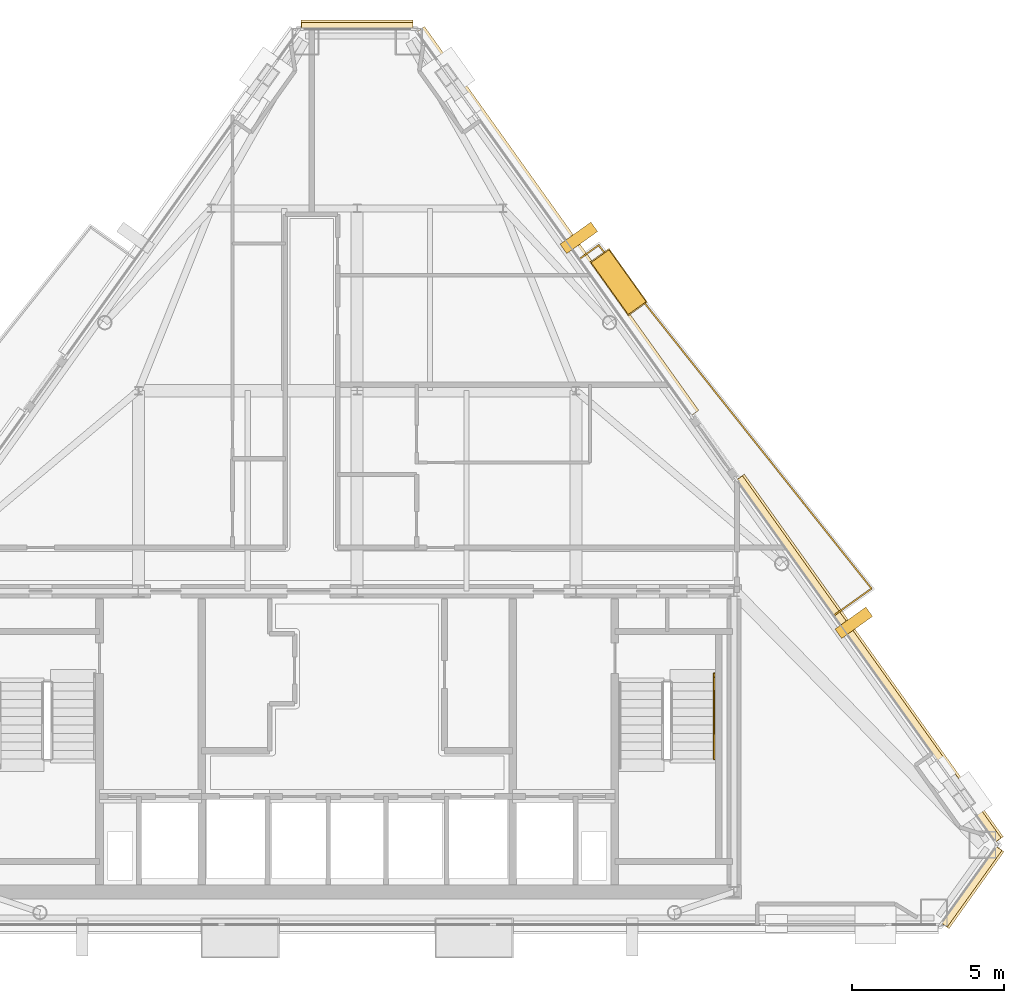
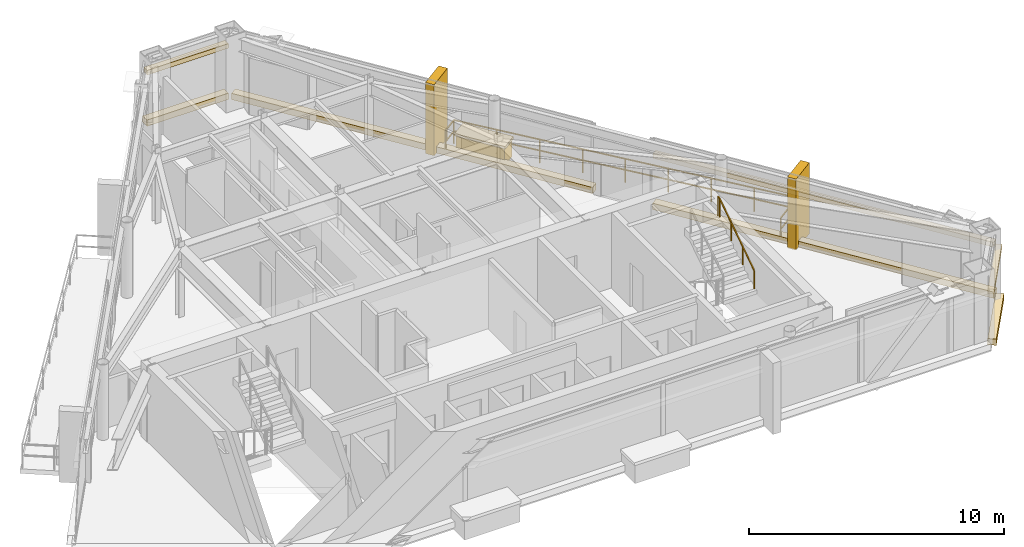
# One storey, part 12 of 12: 11 coverings, 2 railings.
"""IFC4 building model written with IfcOpenShell, lengths in metres."""

from ifc_helpers import new_model, si_unit, direction, frame, origin, origin_2d, place, context, subcontext, project, spatial, rectangle, extrude, material, layer, layer_set, type_object, element, save


model = new_model("IFC4")

# Units and contexts
model_context = context("Model", 3, precision=1e-05, world=origin(), true_north=direction((0.0, 1.0)))
body_context = subcontext(model_context, "Body", "Model", "MODEL_VIEW")
ifc_project = project(units=[si_unit("LENGTHUNIT", "METRE"), si_unit("AREAUNIT", "SQUARE_METRE"), si_unit("VOLUMEUNIT", "CUBIC_METRE"), si_unit("PLANEANGLEUNIT", "RADIAN"), si_unit("MASSUNIT", "GRAM", prefix="KILO")], contexts=[model_context])

# Site, building, storey
site_placement = place(None, origin())
site = spatial("IfcSite", under=ifc_project, at=site_placement, CompositionType="ELEMENT")
building_placement = place(site_placement, origin())
building = spatial("IfcBuilding", under=site, at=building_placement, Name="Talgorran Terracotta Tower", CompositionType="ELEMENT")
storey_placement = place(building_placement, frame((0.0, 0.0, 277.800048828125)))
storey = spatial("IfcBuildingStorey", under=building, at=storey_placement, Name="L73", CompositionType="ELEMENT", Elevation=277.800048828125)

# Coverings
ifc_material_1 = material(Name="Kiln-Fired Terracotta Ochre Ceramic", Category="masonry")
ifc_layer_1 = layer(ifc_material_1, 0.179931640625, Name="COV_BAGUETTE_TERRACOTTA_SCREEN")
ifc_layer_set_1 = layer_set([ifc_layer_1], Name="Kiln-Fired Terracotta Ochre Ceramic")
covering_type_1 = type_object("IfcCoveringType", Name="COV_BAGUETTE_TERRACOTTA_SCREEN", PredefinedType="CLADDING", material=ifc_layer_set_1)
covering_1_placement = place(storey_placement, frame((20.2119140625, -13.916748046875, 2.41015625), z_axis=(0.0, 0.0, 1.0), x_axis=(0.581256971997, 0.813720057824, 0.0)))
element("IfcCovering", 1, at=covering_1_placement, inside=storey, type_object=covering_type_1, Name="L73 Terracotta Baguette Solar Screen Assembly F2", PredefinedType="CLADDING", context=body_context, shape_type="SweptSolid", body=[
    extrude(rectangle(XDim=3.093994140625, YDim=0.260009765625, at=origin_2d()), origin(), (0.0, 0.0, 1.0), 0.219970703125),
])
covering_2_placement = place(storey_placement, frame((16.831298828125, -6.4365234375, 2.41015625), z_axis=(0.0, 0.0, 1.0), x_axis=(-0.581242769814, 0.813730202548, 0.0)))
element("IfcCovering", 2, at=covering_2_placement, inside=storey, type_object=covering_type_1, Name="L73 Terracotta Baguette Solar Screen Assembly F40", PredefinedType="CLADDING", context=body_context, shape_type="SweptSolid", body=[
    extrude(rectangle(XDim=14.6455078125, YDim=0.260009765625, at=origin_2d()), origin(), (0.0, 0.0, 1.0), 0.219970703125),
])
covering_3_placement = place(storey_placement, frame((0.0, 14.389404296875, 2.41015625), z_axis=(0.0, 0.0, 1.0), x_axis=(-1.0, 0.0, 0.0)))
element("IfcCovering", 3, at=covering_3_placement, inside=storey, type_object=covering_type_1, Name="L73 Terracotta Baguette Solar Screen Assembly F4", PredefinedType="CLADDING", context=body_context, shape_type="SweptSolid", body=[
    extrude(rectangle(XDim=3.66748046875, YDim=0.260009765625, at=origin_2d()), origin(), (0.0, 0.0, 1.0), 0.219970703125),
])
ifc_material_2 = material(Name="Honed Limestone and Terracotta Planter", Category="masonry")
ifc_layer_2 = layer(ifc_material_2, 0.1201171875, Name="COV_PLANTER_BOX")
ifc_layer_set_2 = layer_set([ifc_layer_2], Name="Honed Limestone and Terracotta Planter")
covering_type_2 = type_object("IfcCoveringType", Name="COV_PLANTER_BOX", PredefinedType="CLADDING", material=ifc_layer_set_2)
covering_4_placement = place(storey_placement, frame((8.60498046875, 5.972900390625, -0.02001953125), z_axis=(0.0, 0.0, 1.0), x_axis=(-0.581256971997, 0.813720057824, 0.0)))
element("IfcCovering", 4, at=covering_4_placement, inside=storey, type_object=covering_type_2, Name="L73 Staggered Balcony Planter Box BAL-NE", PredefinedType="CLADDING", context=body_context, shape_type="SweptSolid", body=[
    extrude(rectangle(XDim=2.10009765625, YDim=0.719970703125, at=origin_2d()), origin(), (0.0, 0.0, 1.0), 0.860107421875),
])
ifc_material_3 = material(Name="Kiln-Fired Terracotta Planter Rim", Category="masonry")
ifc_layer_3 = layer(ifc_material_3, 0.10009765625, Name="COV_PLANTER_RIM")
ifc_layer_set_3 = layer_set([ifc_layer_3], Name="Kiln-Fired Terracotta Planter Rim")
covering_type_3 = type_object("IfcCoveringType", Name="COV_PLANTER_RIM", PredefinedType="CLADDING", material=ifc_layer_set_3)
covering_5_placement = place(storey_placement, frame((8.60498046875, 5.972900390625, 0.7998046875), z_axis=(0.0, 0.0, 1.0), x_axis=(-0.581256971997, 0.813720057824, 0.0)))
element("IfcCovering", 5, at=covering_5_placement, inside=storey, type_object=covering_type_3, Name="L73 Balcony Planter Terracotta Rim BAL-NE", PredefinedType="CLADDING", context=body_context, shape_type="SweptSolid", body=[
    extrude(rectangle(XDim=2.179931640625, YDim=0.780029296875, at=origin_2d()), origin(), (0.0, 0.0, 1.0), 0.1201171875),
])
ifc_material_4 = material(Name="Honed Limestone Cladding", Category="masonry")
ifc_layer_4 = layer(ifc_material_4, 0.094970703125, Name="COV_PORTAL_LIME")
ifc_layer_set_4 = layer_set([ifc_layer_4], Name="Honed Limestone Cladding")
covering_type_4 = type_object("IfcCoveringType", Name="COV_PORTAL_LIME", PredefinedType="CLADDING", material=ifc_layer_set_4)
covering_6_placement = place(storey_placement, frame((16.34375, -5.23779296875, -0.050048828125), z_axis=(0.0, 0.0, 1.0), x_axis=(-0.581256971997, 0.813720057824, 0.0)))
element("IfcCovering", 6, at=covering_6_placement, inside=storey, type_object=covering_type_4, Name="L73 White Striped Portal Fin F3-1", PredefinedType="CLADDING", context=body_context, shape_type="SweptSolid", body=[
    extrude(rectangle(XDim=0.3798828125, YDim=1.25, at=origin_2d()), origin(), (0.0, 0.0, 1.0), 3.39501953125),
])
ifc_material_5 = material(Name="Kiln-Fired Terracotta Cladding", Category="masonry")
ifc_layer_5 = layer(ifc_material_5, 0.090087890625, Name="COV_PORTAL_TERRA")
ifc_layer_set_5 = layer_set([ifc_layer_5], Name="Kiln-Fired Terracotta Cladding")
covering_type_5 = type_object("IfcCoveringType", Name="COV_PORTAL_TERRA", PredefinedType="CLADDING", material=ifc_layer_set_5)
covering_7_placement = place(storey_placement, frame((20.244384765625, -13.93994140625, -0.0400390625), z_axis=(0.0, 0.0, 1.0), x_axis=(0.581256971997, 0.813720057824, 0.0)))
element("IfcCovering", 7, at=covering_7_placement, inside=storey, type_object=covering_type_5, Name="L73 Striped Postmodern Portal Cladding Band F2", PredefinedType="CLADDING", context=body_context, shape_type="SweptSolid", body=[
    extrude(rectangle(XDim=3.114013671875, YDim=0.340087890625, at=origin_2d()), origin(), (0.0, 0.0, 1.0), 0.300048828125),
])
covering_8_placement = place(storey_placement, frame((16.864013671875, -6.4130859375, -0.0400390625), z_axis=(0.0, 0.0, 1.0), x_axis=(-0.581242769814, 0.813730202548, 0.0)))
element("IfcCovering", 8, at=covering_8_placement, inside=storey, type_object=covering_type_5, Name="L73 Striped Postmodern Portal Cladding Band F40", PredefinedType="CLADDING", context=body_context, shape_type="SweptSolid", body=[
    extrude(rectangle(XDim=14.66552734375, YDim=0.340087890625, at=origin_2d()), origin(), (0.0, 0.0, 1.0), 0.300048828125),
])
covering_9_placement = place(storey_placement, frame((6.5888671875, 7.97119140625, -0.0400390625), z_axis=(0.0, 0.0, 1.0), x_axis=(-0.581242769814, 0.813730202548, 0.0)))
element("IfcCovering", 9, at=covering_9_placement, inside=storey, type_object=covering_type_5, Name="L73 Striped Postmodern Portal Cladding Band F41", PredefinedType="CLADDING", context=body_context, shape_type="SweptSolid", body=[
    extrude(rectangle(XDim=15.529052734375, YDim=0.340087890625, at=origin_2d()), origin(), (0.0, 0.0, 1.0), 0.300048828125),
])
covering_10_placement = place(storey_placement, frame((0.0, 14.429443359375, -0.0400390625), z_axis=(0.0, 0.0, 1.0), x_axis=(-1.0, 0.0, 0.0)))
element("IfcCovering", 10, at=covering_10_placement, inside=storey, type_object=covering_type_5, Name="L73 Striped Postmodern Portal Cladding Band F4", PredefinedType="CLADDING", context=body_context, shape_type="SweptSolid", body=[
    extrude(rectangle(XDim=3.6875, YDim=0.340087890625, at=origin_2d()), origin(), (0.0, 0.0, 1.0), 0.300048828125),
])
covering_11_placement = place(storey_placement, frame((7.295166015625, 7.429931640625, -0.050048828125), z_axis=(0.0, 0.0, 1.0), x_axis=(-0.581256971997, 0.813720057824, 0.0)))
element("IfcCovering", 11, at=covering_11_placement, inside=storey, type_object=covering_type_5, Name="L73 Terracotta Striped Portal Fin F3-2", PredefinedType="CLADDING", context=body_context, shape_type="SweptSolid", body=[
    extrude(rectangle(XDim=0.3798828125, YDim=1.25, at=origin_2d()), origin(), (0.0, 0.0, 1.0), 3.39501953125),
])

# Railings
ifc_material_6 = material(Name="Laminated Glass and Stainless Steel 316", Category="steel")
railing_type_1 = type_object("IfcRailingType", Name="RL_BALCONY_1150", PredefinedType="BALUSTRADE", material=ifc_material_6)
railing_1_placement = place(storey_placement, frame((15.69921875, -4.9892578125, 0.0)))
element("IfcRailing", 12, at=railing_1_placement, inside=storey, type_object=railing_type_1, Name="RL-L73-BAL-BAL-NE", PredefinedType="BALUSTRADE", context=body_context, shape_type="SweptSolid", body=[
    extrude(rectangle(XDim=0.048095703125, YDim=0.048095703125, at=origin_2d()), frame((0.0, 0.0, 1.1259765625), z_axis=(0.813700685311, 0.581284091236, 0.0), x_axis=(-0.581284091236, 0.813700685311, 0.0)), (0.0, 0.0, 1.0), 1.509521484375),
    extrude(rectangle(XDim=0.048095703125, YDim=0.048095703125, at=origin_2d()), frame((0.0, 0.0, 0.597900390625), z_axis=(0.813700685311, 0.581284091236, 0.0), x_axis=(-0.581284091236, 0.813700685311, 0.0)), (0.0, 0.0, 1.0), 1.509521484375),
    extrude(rectangle(XDim=0.048095703125, YDim=0.048095703125, at=origin_2d()), frame((1.228271484375, 0.87744140625, 1.1259765625), z_axis=(-0.622251568, 0.782817338925, 0.0), x_axis=(-0.782817338925, -0.622251568, 0.0)), (0.0, 0.0, 1.0), 14.4326171875),
    extrude(rectangle(XDim=0.048095703125, YDim=0.048095703125, at=origin_2d()), frame((1.228271484375, 0.87744140625, 0.597900390625), z_axis=(-0.622251568, 0.782817338925, 0.0), x_axis=(-0.782817338925, -0.622251568, 0.0)), (0.0, 0.0, 1.0), 14.4326171875),
    extrude(rectangle(XDim=0.048095703125, YDim=0.048095703125, at=origin_2d()), frame((-7.75244140625, 12.175537109375, 1.1259765625), z_axis=(-0.813733471207, -0.581238193719, 0.0), x_axis=(0.581238193719, -0.813733471207, 0.0)), (0.0, 0.0, 1.0), 0.7685546875),
    extrude(rectangle(XDim=0.048095703125, YDim=0.048095703125, at=origin_2d()), frame((-7.75244140625, 12.175537109375, 0.597900390625), z_axis=(-0.813733471207, -0.581238193719, 0.0), x_axis=(0.581238193719, -0.813733471207, 0.0)), (0.0, 0.0, 1.0), 0.7685546875),
    extrude(rectangle(XDim=0.0419921875, YDim=0.0419921875, at=origin_2d()), origin(), (0.0, 0.0, 1.0), 1.101806640625),
    extrude(rectangle(XDim=0.0419921875, YDim=0.0419921875, at=origin_2d()), frame((1.228271484375, 0.87744140625, 0.0)), (0.0, 0.0, 1.0), 1.101806640625),
    extrude(rectangle(XDim=0.0419921875, YDim=0.0419921875, at=origin_2d()), frame((0.105712890625, 2.289794921875, 0.0)), (0.0, 0.0, 1.0), 1.101806640625),
    extrude(rectangle(XDim=0.0419921875, YDim=0.0419921875, at=origin_2d()), frame((-1.016845703125, 3.701904296875, 0.0)), (0.0, 0.0, 1.0), 1.101806640625),
    extrude(rectangle(XDim=0.0419921875, YDim=0.0419921875, at=origin_2d()), frame((-2.139404296875, 5.1142578125, 0.0)), (0.0, 0.0, 1.0), 1.101806640625),
    extrude(rectangle(XDim=0.0419921875, YDim=0.0419921875, at=origin_2d()), frame((-3.26220703125, 6.5263671875, 0.0)), (0.0, 0.0, 1.0), 1.101806640625),
    extrude(rectangle(XDim=0.0419921875, YDim=0.0419921875, at=origin_2d()), frame((-4.384765625, 7.938720703125, 0.0)), (0.0, 0.0, 1.0), 1.101806640625),
    extrude(rectangle(XDim=0.0419921875, YDim=0.0419921875, at=origin_2d()), frame((-5.50732421875, 9.35107421875, 0.0)), (0.0, 0.0, 1.0), 1.101806640625),
    extrude(rectangle(XDim=0.0419921875, YDim=0.0419921875, at=origin_2d()), frame((-6.6298828125, 10.76318359375, 0.0)), (0.0, 0.0, 1.0), 1.101806640625),
    extrude(rectangle(XDim=0.0419921875, YDim=0.0419921875, at=origin_2d()), frame((-7.75244140625, 12.175537109375, 0.0)), (0.0, 0.0, 1.0), 1.101806640625),
    extrude(rectangle(XDim=0.0419921875, YDim=0.0419921875, at=origin_2d()), frame((-8.3779296875, 11.728759765625, 0.0)), (0.0, 0.0, 1.0), 1.101806640625),
])
ifc_material_7 = material(Name="Steel S355 (300PLUS)", Category="steel")
railing_type_2 = type_object("IfcRailingType", Name="RL_HANDRAIL_920", PredefinedType="HANDRAIL", material=ifc_material_7)
railing_2_placement = place(storey_placement, frame((11.75, -9.719970703125, 1.97998046875)))
element("IfcRailing", 13, at=railing_2_placement, inside=storey, type_object=railing_type_2, Name="L73 ST-02 stair handrail 2", PredefinedType="HANDRAIL", context=body_context, shape_type="SweptSolid", body=[
    extrude(rectangle(XDim=0.048095703125, YDim=0.048095703125, at=origin_2d()), frame((0.0, 0.0, 0.89599609375), z_axis=(0.0, 0.832038719335, 0.554717558338), x_axis=(-1.0, 0.0, 0.0)), (0.0, 0.0, 1.0), 3.244873046875),
    extrude(rectangle(XDim=0.048095703125, YDim=0.048095703125, at=origin_2d()), frame((0.0, 2.699951171875, 2.69580078125), z_axis=(0.0, 1.0, 0.0), x_axis=(-1.0, 0.0, 0.0)), (0.0, 0.0, 1.0), 0.1201171875),
    extrude(rectangle(XDim=0.0419921875, YDim=0.0419921875, at=origin_2d()), origin(), (0.0, 0.0, 1.0), 0.871826171875),
    extrude(rectangle(XDim=0.0419921875, YDim=0.0419921875, at=origin_2d()), frame((0.0, 0.89990234375, 0.60009765625)), (0.0, 0.0, 1.0), 0.871826171875),
    extrude(rectangle(XDim=0.0419921875, YDim=0.0419921875, at=origin_2d()), frame((0.0, 1.800048828125, 1.199951171875)), (0.0, 0.0, 1.0), 0.871826171875),
    extrude(rectangle(XDim=0.0419921875, YDim=0.0419921875, at=origin_2d()), frame((0.0, 2.699951171875, 1.800048828125)), (0.0, 0.0, 1.0), 0.871826171875),
    extrude(rectangle(XDim=0.0419921875, YDim=0.0419921875, at=origin_2d()), frame((0.0, 2.820068359375, 1.800048828125)), (0.0, 0.0, 1.0), 0.871826171875),
])

save(model, "model.ifc")
